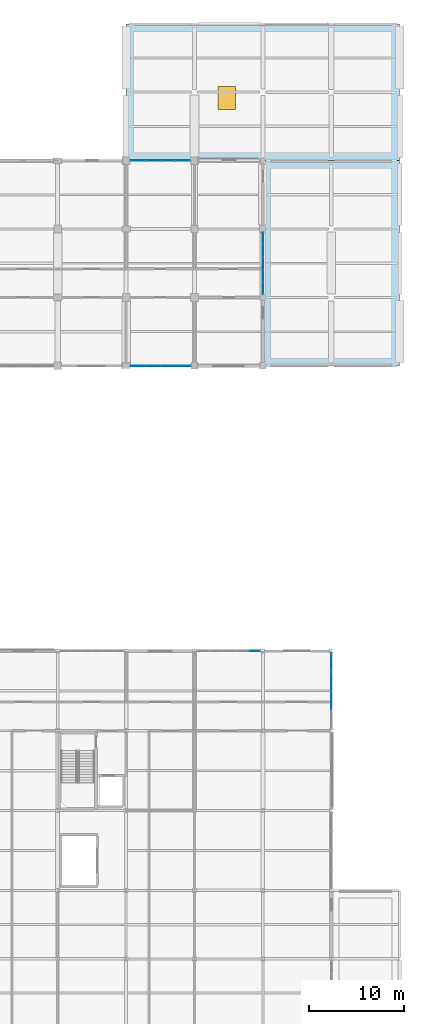
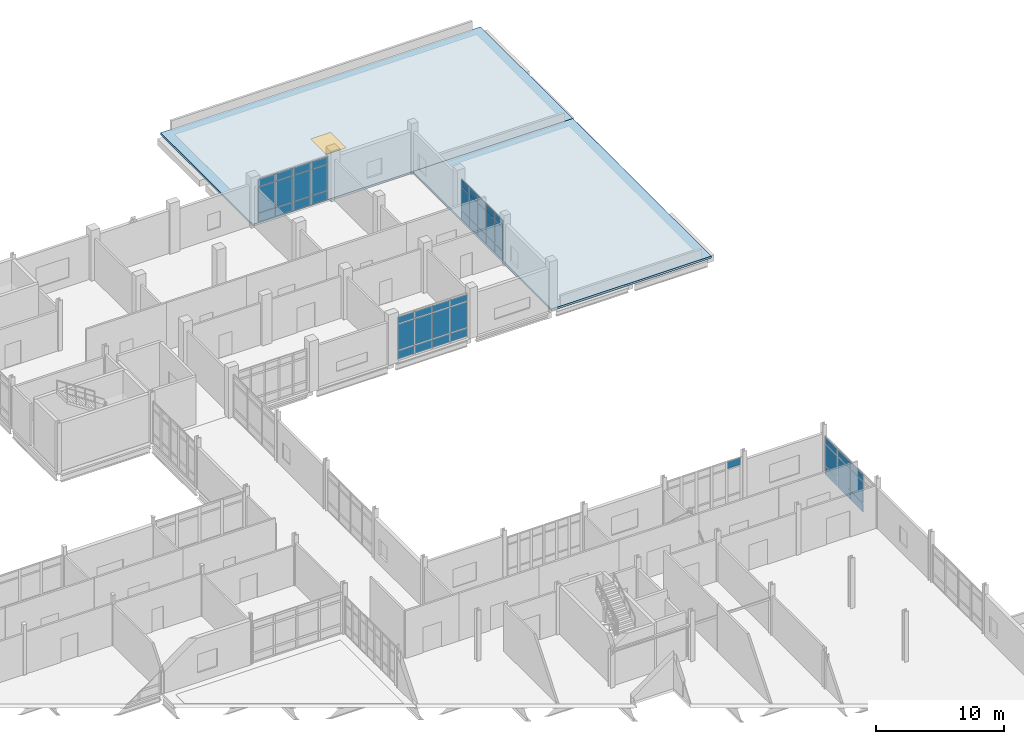
# One storey, part 133 of 186: 49 plates, 2 slabs, 1 window, 1 opening, 5 elements without a shape of their own.
"""IFC4 building model written with IfcOpenShell, lengths in metres."""

from ifc_helpers import new_model, si_unit, direction, frame, origin, origin_2d, place, context, subcontext, project, spatial, polyline, rectangle, outline, extrude, material, layer, layer_set, type_object, element, fill, aggregate, save


model = new_model("IFC4")

# Units and contexts
model_context = context("Model", 3, precision=1e-05, world=origin(), true_north=direction((0.0, 1.0)))
body_context = subcontext(model_context, "Body", "Model", "MODEL_VIEW")
ifc_project = project(units=[si_unit("LENGTHUNIT", "METRE"), si_unit("AREAUNIT", "SQUARE_METRE"), si_unit("VOLUMEUNIT", "CUBIC_METRE"), si_unit("PLANEANGLEUNIT", "RADIAN"), si_unit("MASSUNIT", "GRAM", prefix="KILO")], contexts=[model_context])

# Site, building, storey
site_placement = place(None, origin())
site = spatial("IfcSite", under=ifc_project, at=site_placement, CompositionType="ELEMENT")
building_placement = place(site_placement, origin())
building = spatial("IfcBuilding", under=site, at=building_placement, Name="Calvrana Isthmian Art Gallery", CompositionType="ELEMENT")
storey_placement = place(building_placement, frame((0.0, 0.0, 5.39990234375)))
storey = spatial("IfcBuildingStorey", under=building, at=storey_placement, Name="L01", CompositionType="ELEMENT", Elevation=5.39990234375)

# Curtain wall, plates
ifc_material_1 = material(Name="Anodized bronze aluminium 6063-T6", Category="aluminium")
ifc_layer_1 = layer(ifc_material_1, 0.179931640625, Name="Anodized bronze aluminium 6063-T6")
ifc_layer_set_1 = layer_set([ifc_layer_1], Name="Anodized bronze aluminium 6063-T6")
curtain_wall_type_1 = type_object("IfcCurtainWallType", Name="CW-UNIT-065X39", PredefinedType="USERDEFINED", material=ifc_layer_set_1)
curtain_wall_1_placement = place(storey_placement, origin())
curtain_wall_1 = element("IfcCurtainWall", 1, at=curtain_wall_1_placement, inside=storey, type_object=curtain_wall_type_1, Name="Curtain wall CW-140", ObjectType="UNITISED CURTAIN WALL", PredefinedType="USERDEFINED")
ifc_material_2 = material(Name="Polychrome glazed terracotta", Category="masonry")
ifc_layer_2 = layer(ifc_material_2, 0.033935546875, Name="Polychrome glazed terracotta")
ifc_layer_set_2 = layer_set([ifc_layer_2], Name="Polychrome glazed terracotta")
plate_type_1 = type_object("IfcPlateType", Name="CWP-SPANDREL-34", PredefinedType="CURTAIN_PANEL", material=ifc_layer_set_2)
plate_1_placement = place(storey_placement, frame((148.800048828125, 90.1787109375, 0.06005859375), z_axis=(0.0, 0.0, 1.0), x_axis=(0.0, -1.0, 0.0)))
plate_1 = element("IfcPlate", 2, at=plate_1_placement, type_object=plate_type_1, Name="CW-140 panel 1.1", PredefinedType="CURTAIN_PANEL", context=body_context, shape_type="SweptSolid", body=[
    extrude(rectangle(XDim=1.21240234375, YDim=0.033935546875, at=origin_2d()), origin(), (0.0, 0.0, 1.0), 0.81005859375),
])
plate_2_placement = place(storey_placement, frame((148.800048828125, 90.1787109375, 0.93017578125), z_axis=(0.0, 0.0, 1.0), x_axis=(0.0, -1.0, 0.0)))
plate_2 = element("IfcPlate", 3, at=plate_2_placement, type_object=plate_type_1, Name="CW-140 panel 1.2", PredefinedType="CURTAIN_PANEL", context=body_context, shape_type="SweptSolid", body=[
    extrude(rectangle(XDim=1.21240234375, YDim=0.033935546875, at=origin_2d()), origin(), (0.0, 0.0, 1.0), 2.202880859375),
])
plate_3_placement = place(storey_placement, frame((148.800048828125, 90.1787109375, 3.193359375), z_axis=(0.0, 0.0, 1.0), x_axis=(0.0, -1.0, 0.0)))
plate_3 = element("IfcPlate", 4, at=plate_3_placement, type_object=plate_type_1, Name="CW-140 panel 1.3", PredefinedType="CURTAIN_PANEL", context=body_context, shape_type="SweptSolid", body=[
    extrude(rectangle(XDim=1.21240234375, YDim=0.033935546875, at=origin_2d()), origin(), (0.0, 0.0, 1.0), 0.659912109375),
])
plate_4_placement = place(storey_placement, frame((148.800048828125, 88.885009765625, 0.06005859375), z_axis=(0.0, 0.0, 1.0), x_axis=(0.0, -1.0, 0.0)))
plate_4 = element("IfcPlate", 5, at=plate_4_placement, type_object=plate_type_1, Name="CW-140 panel 2.1", PredefinedType="CURTAIN_PANEL", context=body_context, shape_type="SweptSolid", body=[
    extrude(rectangle(XDim=1.2451171875, YDim=0.033935546875, at=origin_2d()), origin(), (0.0, 0.0, 1.0), 0.81005859375),
])
plate_5_placement = place(storey_placement, frame((148.800048828125, 88.885009765625, 0.93017578125), z_axis=(0.0, 0.0, 1.0), x_axis=(0.0, -1.0, 0.0)))
plate_5 = element("IfcPlate", 6, at=plate_5_placement, type_object=plate_type_1, Name="CW-140 panel 2.2", PredefinedType="CURTAIN_PANEL", context=body_context, shape_type="SweptSolid", body=[
    extrude(rectangle(XDim=1.2451171875, YDim=0.033935546875, at=origin_2d()), origin(), (0.0, 0.0, 1.0), 2.202880859375),
])
plate_6_placement = place(storey_placement, frame((148.800048828125, 88.885009765625, 3.193359375), z_axis=(0.0, 0.0, 1.0), x_axis=(0.0, -1.0, 0.0)))
plate_6 = element("IfcPlate", 7, at=plate_6_placement, type_object=plate_type_1, Name="CW-140 panel 2.3", PredefinedType="CURTAIN_PANEL", context=body_context, shape_type="SweptSolid", body=[
    extrude(rectangle(XDim=1.2451171875, YDim=0.033935546875, at=origin_2d()), origin(), (0.0, 0.0, 1.0), 0.659912109375),
])
plate_7_placement = place(storey_placement, frame((148.800048828125, 87.574951171875, 0.06005859375), z_axis=(0.0, 0.0, 1.0), x_axis=(0.0, -1.0, 0.0)))
plate_7 = element("IfcPlate", 8, at=plate_7_placement, type_object=plate_type_1, Name="CW-140 panel 3.1", PredefinedType="CURTAIN_PANEL", context=body_context, shape_type="SweptSolid", body=[
    extrude(rectangle(XDim=1.2451171875, YDim=0.033935546875, at=origin_2d()), origin(), (0.0, 0.0, 1.0), 0.81005859375),
])
plate_8_placement = place(storey_placement, frame((148.800048828125, 87.574951171875, 0.93017578125), z_axis=(0.0, 0.0, 1.0), x_axis=(0.0, -1.0, 0.0)))
plate_8 = element("IfcPlate", 9, at=plate_8_placement, type_object=plate_type_1, Name="CW-140 panel 3.2", PredefinedType="CURTAIN_PANEL", context=body_context, shape_type="SweptSolid", body=[
    extrude(rectangle(XDim=1.2451171875, YDim=0.033935546875, at=origin_2d()), origin(), (0.0, 0.0, 1.0), 2.202880859375),
])
plate_9_placement = place(storey_placement, frame((148.800048828125, 87.574951171875, 3.193359375), z_axis=(0.0, 0.0, 1.0), x_axis=(0.0, -1.0, 0.0)))
plate_9 = element("IfcPlate", 10, at=plate_9_placement, type_object=plate_type_1, Name="CW-140 panel 3.3", PredefinedType="CURTAIN_PANEL", context=body_context, shape_type="SweptSolid", body=[
    extrude(rectangle(XDim=1.2451171875, YDim=0.033935546875, at=origin_2d()), origin(), (0.0, 0.0, 1.0), 0.659912109375),
])
plate_10_placement = place(storey_placement, frame((148.800048828125, 86.264892578125, 0.06005859375), z_axis=(0.0, 0.0, 1.0), x_axis=(0.0, -1.0, 0.0)))
plate_10 = element("IfcPlate", 11, at=plate_10_placement, type_object=plate_type_1, Name="CW-140 panel 4.1", PredefinedType="CURTAIN_PANEL", context=body_context, shape_type="SweptSolid", body=[
    extrude(rectangle(XDim=1.2451171875, YDim=0.033935546875, at=origin_2d()), origin(), (0.0, 0.0, 1.0), 0.81005859375),
])
plate_11_placement = place(storey_placement, frame((148.800048828125, 86.264892578125, 0.93017578125), z_axis=(0.0, 0.0, 1.0), x_axis=(0.0, -1.0, 0.0)))
plate_11 = element("IfcPlate", 12, at=plate_11_placement, type_object=plate_type_1, Name="CW-140 panel 4.2", PredefinedType="CURTAIN_PANEL", context=body_context, shape_type="SweptSolid", body=[
    extrude(rectangle(XDim=1.2451171875, YDim=0.033935546875, at=origin_2d()), origin(), (0.0, 0.0, 1.0), 2.202880859375),
])
plate_12_placement = place(storey_placement, frame((148.800048828125, 86.264892578125, 3.193359375), z_axis=(0.0, 0.0, 1.0), x_axis=(0.0, -1.0, 0.0)))
plate_12 = element("IfcPlate", 13, at=plate_12_placement, type_object=plate_type_1, Name="CW-140 panel 4.3", PredefinedType="CURTAIN_PANEL", context=body_context, shape_type="SweptSolid", body=[
    extrude(rectangle(XDim=1.2451171875, YDim=0.033935546875, at=origin_2d()), origin(), (0.0, 0.0, 1.0), 0.659912109375),
])
plate_13_placement = place(storey_placement, frame((148.800048828125, 84.97119140625, 0.06005859375), z_axis=(0.0, 0.0, 1.0), x_axis=(0.0, -1.0, 0.0)))
plate_13 = element("IfcPlate", 14, at=plate_13_placement, type_object=plate_type_1, Name="CW-140 panel 5.1", PredefinedType="CURTAIN_PANEL", context=body_context, shape_type="SweptSolid", body=[
    extrude(rectangle(XDim=1.21240234375, YDim=0.033935546875, at=origin_2d()), origin(), (0.0, 0.0, 1.0), 0.81005859375),
])
plate_14_placement = place(storey_placement, frame((148.800048828125, 84.97119140625, 0.93017578125), z_axis=(0.0, 0.0, 1.0), x_axis=(0.0, -1.0, 0.0)))
plate_14 = element("IfcPlate", 15, at=plate_14_placement, type_object=plate_type_1, Name="CW-140 panel 5.2", PredefinedType="CURTAIN_PANEL", context=body_context, shape_type="SweptSolid", body=[
    extrude(rectangle(XDim=1.21240234375, YDim=0.033935546875, at=origin_2d()), origin(), (0.0, 0.0, 1.0), 2.202880859375),
])
plate_15_placement = place(storey_placement, frame((148.800048828125, 84.97119140625, 3.193359375), z_axis=(0.0, 0.0, 1.0), x_axis=(0.0, -1.0, 0.0)))
plate_15 = element("IfcPlate", 16, at=plate_15_placement, type_object=plate_type_1, Name="CW-140 panel 5.3", PredefinedType="CURTAIN_PANEL", context=body_context, shape_type="SweptSolid", body=[
    extrude(rectangle(XDim=1.21240234375, YDim=0.033935546875, at=origin_2d()), origin(), (0.0, 0.0, 1.0), 0.659912109375),
])
aggregate(curtain_wall_1, [plate_1, plate_2, plate_3, plate_4, plate_5, plate_6, plate_7, plate_8, plate_9, plate_10, plate_11, plate_12, plate_13, plate_14, plate_15])

# Curtain wall, plate
ifc_layer_3 = layer(ifc_material_1, 0.179931640625, Name="Anodized bronze aluminium 6063-T6")
ifc_layer_set_3 = layer_set([ifc_layer_3], Name="Anodized bronze aluminium 6063-T6")
curtain_wall_type_2 = type_object("IfcCurtainWallType", Name="CW-UNIT-068X42", PredefinedType="USERDEFINED", material=ifc_layer_set_3)
curtain_wall_2_placement = place(storey_placement, origin())
curtain_wall_2 = element("IfcCurtainWall", 17, at=curtain_wall_2_placement, inside=storey, type_object=curtain_wall_type_2, Name="Curtain wall CW-101", ObjectType="UNITISED CURTAIN WALL", PredefinedType="USERDEFINED")
ifc_material_3 = material(Name="Low-E laminated solar glass", Category="glass")
ifc_layer_4 = layer(ifc_material_3, 0.028076171875, Name="Low-E laminated solar glass")
ifc_layer_set_4 = layer_set([ifc_layer_4], Name="Low-E laminated solar glass")
plate_type_2 = type_object("IfcPlateType", Name="CWP-VISION-28", PredefinedType="CURTAIN_PANEL", material=ifc_layer_set_4)
plate_16_placement = place(storey_placement, frame((147.912841796875, 46.800048828125, 3.4951171875), z_axis=(0.0, 0.0, 1.0), x_axis=(1.0, 0.0, 0.0)))
plate_16 = element("IfcPlate", 18, at=plate_16_placement, type_object=plate_type_2, Name="CW-101 panel 5.3", PredefinedType="CURTAIN_PANEL", context=body_context, shape_type="SweptSolid", body=[
    extrude(rectangle(XDim=1.243408203125, YDim=0.028076171875, at=origin_2d()), origin(), (0.0, 0.0, 1.0), 0.659912109375),
])
aggregate(curtain_wall_2, [plate_16])

# Curtain wall, plates
ifc_layer_5 = layer(ifc_material_1, 0.179931640625, Name="Anodized bronze aluminium 6063-T6")
ifc_layer_set_5 = layer_set([ifc_layer_5], Name="Anodized bronze aluminium 6063-T6")
curtain_wall_type_3 = type_object("IfcCurtainWallType", Name="CW-UNIT-064X42", PredefinedType="USERDEFINED", material=ifc_layer_set_5)
curtain_wall_3_placement = place(storey_placement, origin())
curtain_wall_3 = element("IfcCurtainWall", 19, at=curtain_wall_3_placement, inside=storey, type_object=curtain_wall_type_3, Name="Curtain wall CW-109", ObjectType="UNITISED CURTAIN WALL", PredefinedType="USERDEFINED")
plate_17_placement = place(storey_placement, frame((140.43505859375, 76.800048828125, 0.074951171875), z_axis=(0.0, 0.0, 1.0), x_axis=(-1.0, 0.0, 0.0)))
plate_17 = element("IfcPlate", 20, at=plate_17_placement, type_object=plate_type_2, Name="CW-109 panel 1.1", PredefinedType="CURTAIN_PANEL", context=body_context, shape_type="SweptSolid", body=[
    extrude(rectangle(XDim=1.510009765625, YDim=0.028076171875, at=origin_2d()), origin(), (0.0, 0.0, 1.0), 0.78759765625),
])
plate_18_placement = place(storey_placement, frame((140.43505859375, 76.800048828125, 0.9375), z_axis=(0.0, 0.0, 1.0), x_axis=(-1.0, 0.0, 0.0)))
plate_18 = element("IfcPlate", 21, at=plate_18_placement, type_object=plate_type_2, Name="CW-109 panel 1.2", PredefinedType="CURTAIN_PANEL", context=body_context, shape_type="SweptSolid", body=[
    extrude(rectangle(XDim=1.510009765625, YDim=0.028076171875, at=origin_2d()), origin(), (0.0, 0.0, 1.0), 2.43896484375),
])
plate_19_placement = place(storey_placement, frame((140.43505859375, 76.800048828125, 3.45166015625), z_axis=(0.0, 0.0, 1.0), x_axis=(-1.0, 0.0, 0.0)))
plate_19 = element("IfcPlate", 22, at=plate_19_placement, type_object=plate_type_2, Name="CW-109 panel 1.3", PredefinedType="CURTAIN_PANEL", context=body_context, shape_type="SweptSolid", body=[
    extrude(rectangle(XDim=1.510009765625, YDim=0.028076171875, at=origin_2d()), origin(), (0.0, 0.0, 1.0), 0.637451171875),
])
plate_20_placement = place(storey_placement, frame((138.85009765625, 76.800048828125, 0.074951171875), z_axis=(0.0, 0.0, 1.0), x_axis=(-1.0, 0.0, 0.0)))
plate_20 = element("IfcPlate", 23, at=plate_20_placement, type_object=plate_type_2, Name="CW-109 panel 2.1", PredefinedType="CURTAIN_PANEL", context=body_context, shape_type="SweptSolid", body=[
    extrude(rectangle(XDim=1.5400390625, YDim=0.028076171875, at=origin_2d()), origin(), (0.0, 0.0, 1.0), 0.78759765625),
])
plate_21_placement = place(storey_placement, frame((138.85009765625, 76.800048828125, 0.9375), z_axis=(0.0, 0.0, 1.0), x_axis=(-1.0, 0.0, 0.0)))
plate_21 = element("IfcPlate", 24, at=plate_21_placement, type_object=plate_type_2, Name="CW-109 panel 2.2", PredefinedType="CURTAIN_PANEL", context=body_context, shape_type="SweptSolid", body=[
    extrude(rectangle(XDim=1.5400390625, YDim=0.028076171875, at=origin_2d()), origin(), (0.0, 0.0, 1.0), 2.43896484375),
])
plate_22_placement = place(storey_placement, frame((138.85009765625, 76.800048828125, 3.45166015625), z_axis=(0.0, 0.0, 1.0), x_axis=(-1.0, 0.0, 0.0)))
plate_22 = element("IfcPlate", 25, at=plate_22_placement, type_object=plate_type_2, Name="CW-109 panel 2.3", PredefinedType="CURTAIN_PANEL", context=body_context, shape_type="SweptSolid", body=[
    extrude(rectangle(XDim=1.5400390625, YDim=0.028076171875, at=origin_2d()), origin(), (0.0, 0.0, 1.0), 0.637451171875),
])
plate_23_placement = place(storey_placement, frame((137.25, 76.800048828125, 0.074951171875), z_axis=(0.0, 0.0, 1.0), x_axis=(-1.0, 0.0, 0.0)))
plate_23 = element("IfcPlate", 26, at=plate_23_placement, type_object=plate_type_2, Name="CW-109 panel 3.1", PredefinedType="CURTAIN_PANEL", context=body_context, shape_type="SweptSolid", body=[
    extrude(rectangle(XDim=1.5400390625, YDim=0.028076171875, at=origin_2d()), origin(), (0.0, 0.0, 1.0), 0.78759765625),
])
plate_24_placement = place(storey_placement, frame((137.25, 76.800048828125, 0.9375), z_axis=(0.0, 0.0, 1.0), x_axis=(-1.0, 0.0, 0.0)))
plate_24 = element("IfcPlate", 27, at=plate_24_placement, type_object=plate_type_2, Name="CW-109 panel 3.2", PredefinedType="CURTAIN_PANEL", context=body_context, shape_type="SweptSolid", body=[
    extrude(rectangle(XDim=1.5400390625, YDim=0.028076171875, at=origin_2d()), origin(), (0.0, 0.0, 1.0), 2.43896484375),
])
plate_25_placement = place(storey_placement, frame((137.25, 76.800048828125, 3.45166015625), z_axis=(0.0, 0.0, 1.0), x_axis=(-1.0, 0.0, 0.0)))
plate_25 = element("IfcPlate", 28, at=plate_25_placement, type_object=plate_type_2, Name="CW-109 panel 3.3", PredefinedType="CURTAIN_PANEL", context=body_context, shape_type="SweptSolid", body=[
    extrude(rectangle(XDim=1.5400390625, YDim=0.028076171875, at=origin_2d()), origin(), (0.0, 0.0, 1.0), 0.637451171875),
])
plate_26_placement = place(storey_placement, frame((135.6650390625, 76.800048828125, 0.074951171875), z_axis=(0.0, 0.0, 1.0), x_axis=(-1.0, 0.0, 0.0)))
plate_26 = element("IfcPlate", 29, at=plate_26_placement, type_object=plate_type_2, Name="CW-109 panel 4.1", PredefinedType="CURTAIN_PANEL", context=body_context, shape_type="SweptSolid", body=[
    extrude(rectangle(XDim=1.510009765625, YDim=0.028076171875, at=origin_2d()), origin(), (0.0, 0.0, 1.0), 0.78759765625),
])
plate_27_placement = place(storey_placement, frame((135.6650390625, 76.800048828125, 0.9375), z_axis=(0.0, 0.0, 1.0), x_axis=(-1.0, 0.0, 0.0)))
plate_27 = element("IfcPlate", 30, at=plate_27_placement, type_object=plate_type_2, Name="CW-109 panel 4.2", PredefinedType="CURTAIN_PANEL", context=body_context, shape_type="SweptSolid", body=[
    extrude(rectangle(XDim=1.510009765625, YDim=0.028076171875, at=origin_2d()), origin(), (0.0, 0.0, 1.0), 2.43896484375),
])
plate_28_placement = place(storey_placement, frame((135.6650390625, 76.800048828125, 3.45166015625), z_axis=(0.0, 0.0, 1.0), x_axis=(-1.0, 0.0, 0.0)))
plate_28 = element("IfcPlate", 31, at=plate_28_placement, type_object=plate_type_2, Name="CW-109 panel 4.3", PredefinedType="CURTAIN_PANEL", context=body_context, shape_type="SweptSolid", body=[
    extrude(rectangle(XDim=1.510009765625, YDim=0.028076171875, at=origin_2d()), origin(), (0.0, 0.0, 1.0), 0.637451171875),
])
aggregate(curtain_wall_3, [plate_17, plate_18, plate_19, plate_20, plate_21, plate_22, plate_23, plate_24, plate_25, plate_26, plate_27, plate_28])

curtain_wall_4_placement = place(storey_placement, origin())
curtain_wall_4 = element("IfcCurtainWall", 32, at=curtain_wall_4_placement, inside=storey, type_object=curtain_wall_type_3, Name="Curtain wall CW-113", ObjectType="UNITISED CURTAIN WALL", PredefinedType="USERDEFINED")
plate_29_placement = place(storey_placement, frame((135.6201171875, 98.39990234375, 0.070068359375), z_axis=(0.0, 0.0, 1.0), x_axis=(1.0, 0.0, 0.0)))
plate_29 = element("IfcPlate", 33, at=plate_29_placement, type_object=plate_type_2, Name="CW-113 panel 1.1", PredefinedType="CURTAIN_PANEL", context=body_context, shape_type="SweptSolid", body=[
    extrude(rectangle(XDim=1.47998046875, YDim=0.028076171875, at=origin_2d()), origin(), (0.0, 0.0, 1.0), 0.794921875),
])
plate_30_placement = place(storey_placement, frame((135.6201171875, 98.39990234375, 0.93505859375), z_axis=(0.0, 0.0, 1.0), x_axis=(1.0, 0.0, 0.0)))
plate_30 = element("IfcPlate", 34, at=plate_30_placement, type_object=plate_type_2, Name="CW-113 panel 1.2", PredefinedType="CURTAIN_PANEL", context=body_context, shape_type="SweptSolid", body=[
    extrude(rectangle(XDim=1.47998046875, YDim=0.028076171875, at=origin_2d()), origin(), (0.0, 0.0, 1.0), 2.444091796875),
])
plate_31_placement = place(storey_placement, frame((135.6201171875, 98.39990234375, 3.448974609375), z_axis=(0.0, 0.0, 1.0), x_axis=(1.0, 0.0, 0.0)))
plate_31 = element("IfcPlate", 35, at=plate_31_placement, type_object=plate_type_2, Name="CW-113 panel 1.3", PredefinedType="CURTAIN_PANEL", context=body_context, shape_type="SweptSolid", body=[
    extrude(rectangle(XDim=1.47998046875, YDim=0.028076171875, at=origin_2d()), origin(), (0.0, 0.0, 1.0), 0.64501953125),
])
plate_32_placement = place(storey_placement, frame((137.199951171875, 98.39990234375, 0.070068359375), z_axis=(0.0, 0.0, 1.0), x_axis=(1.0, 0.0, 0.0)))
plate_32 = element("IfcPlate", 36, at=plate_32_placement, type_object=plate_type_2, Name="CW-113 panel 2.1", PredefinedType="CURTAIN_PANEL", context=body_context, shape_type="SweptSolid", body=[
    extrude(rectangle(XDim=1.52001953125, YDim=0.028076171875, at=origin_2d()), origin(), (0.0, 0.0, 1.0), 0.794921875),
])
plate_33_placement = place(storey_placement, frame((137.199951171875, 98.39990234375, 0.93505859375), z_axis=(0.0, 0.0, 1.0), x_axis=(1.0, 0.0, 0.0)))
plate_33 = element("IfcPlate", 37, at=plate_33_placement, type_object=plate_type_2, Name="CW-113 panel 2.2", PredefinedType="CURTAIN_PANEL", context=body_context, shape_type="SweptSolid", body=[
    extrude(rectangle(XDim=1.52001953125, YDim=0.028076171875, at=origin_2d()), origin(), (0.0, 0.0, 1.0), 2.444091796875),
])
plate_34_placement = place(storey_placement, frame((137.199951171875, 98.39990234375, 3.448974609375), z_axis=(0.0, 0.0, 1.0), x_axis=(1.0, 0.0, 0.0)))
plate_34 = element("IfcPlate", 38, at=plate_34_placement, type_object=plate_type_2, Name="CW-113 panel 2.3", PredefinedType="CURTAIN_PANEL", context=body_context, shape_type="SweptSolid", body=[
    extrude(rectangle(XDim=1.52001953125, YDim=0.028076171875, at=origin_2d()), origin(), (0.0, 0.0, 1.0), 0.64501953125),
])
plate_35_placement = place(storey_placement, frame((138.800048828125, 98.39990234375, 0.070068359375), z_axis=(0.0, 0.0, 1.0), x_axis=(1.0, 0.0, 0.0)))
plate_35 = element("IfcPlate", 39, at=plate_35_placement, type_object=plate_type_2, Name="CW-113 panel 3.1", PredefinedType="CURTAIN_PANEL", context=body_context, shape_type="SweptSolid", body=[
    extrude(rectangle(XDim=1.52001953125, YDim=0.028076171875, at=origin_2d()), origin(), (0.0, 0.0, 1.0), 0.794921875),
])
plate_36_placement = place(storey_placement, frame((138.800048828125, 98.39990234375, 0.93505859375), z_axis=(0.0, 0.0, 1.0), x_axis=(1.0, 0.0, 0.0)))
plate_36 = element("IfcPlate", 40, at=plate_36_placement, type_object=plate_type_2, Name="CW-113 panel 3.2", PredefinedType="CURTAIN_PANEL", context=body_context, shape_type="SweptSolid", body=[
    extrude(rectangle(XDim=1.52001953125, YDim=0.028076171875, at=origin_2d()), origin(), (0.0, 0.0, 1.0), 2.444091796875),
])
plate_37_placement = place(storey_placement, frame((138.800048828125, 98.39990234375, 3.448974609375), z_axis=(0.0, 0.0, 1.0), x_axis=(1.0, 0.0, 0.0)))
plate_37 = element("IfcPlate", 41, at=plate_37_placement, type_object=plate_type_2, Name="CW-113 panel 3.3", PredefinedType="CURTAIN_PANEL", context=body_context, shape_type="SweptSolid", body=[
    extrude(rectangle(XDim=1.52001953125, YDim=0.028076171875, at=origin_2d()), origin(), (0.0, 0.0, 1.0), 0.64501953125),
])
plate_38_placement = place(storey_placement, frame((140.3798828125, 98.39990234375, 0.070068359375), z_axis=(0.0, 0.0, 1.0), x_axis=(1.0, 0.0, 0.0)))
plate_38 = element("IfcPlate", 42, at=plate_38_placement, type_object=plate_type_2, Name="CW-113 panel 4.1", PredefinedType="CURTAIN_PANEL", context=body_context, shape_type="SweptSolid", body=[
    extrude(rectangle(XDim=1.47998046875, YDim=0.028076171875, at=origin_2d()), origin(), (0.0, 0.0, 1.0), 0.794921875),
])
plate_39_placement = place(storey_placement, frame((140.3798828125, 98.39990234375, 0.93505859375), z_axis=(0.0, 0.0, 1.0), x_axis=(1.0, 0.0, 0.0)))
plate_39 = element("IfcPlate", 43, at=plate_39_placement, type_object=plate_type_2, Name="CW-113 panel 4.2", PredefinedType="CURTAIN_PANEL", context=body_context, shape_type="SweptSolid", body=[
    extrude(rectangle(XDim=1.47998046875, YDim=0.028076171875, at=origin_2d()), origin(), (0.0, 0.0, 1.0), 2.444091796875),
])
plate_40_placement = place(storey_placement, frame((140.3798828125, 98.39990234375, 3.448974609375), z_axis=(0.0, 0.0, 1.0), x_axis=(1.0, 0.0, 0.0)))
plate_40 = element("IfcPlate", 44, at=plate_40_placement, type_object=plate_type_2, Name="CW-113 panel 4.3", PredefinedType="CURTAIN_PANEL", context=body_context, shape_type="SweptSolid", body=[
    extrude(rectangle(XDim=1.47998046875, YDim=0.028076171875, at=origin_2d()), origin(), (0.0, 0.0, 1.0), 0.64501953125),
])
aggregate(curtain_wall_4, [plate_29, plate_30, plate_31, plate_32, plate_33, plate_34, plate_35, plate_36, plate_37, plate_38, plate_39, plate_40])

ifc_layer_6 = layer(ifc_material_1, 0.179931640625, Name="Anodized bronze aluminium 6063-T6")
ifc_layer_set_6 = layer_set([ifc_layer_6], Name="Anodized bronze aluminium 6063-T6")
curtain_wall_type_4 = type_object("IfcCurtainWallType", Name="CW-STICK-080X37", PredefinedType="NOTDEFINED", material=ifc_layer_set_6)
curtain_wall_5_placement = place(storey_placement, origin())
curtain_wall_5 = element("IfcCurtainWall", 45, at=curtain_wall_5_placement, inside=storey, type_object=curtain_wall_type_4, Name="Curtain wall CW-143", PredefinedType="NOTDEFINED")
plate_41_placement = place(storey_placement, frame((156.0, 45.59765625, 0.070068359375), z_axis=(0.0, 0.0, 1.0), x_axis=(0.0, -1.0, 0.0)))
plate_41 = element("IfcPlate", 46, at=plate_41_placement, type_object=plate_type_2, Name="CW-143 panel 1.1", PredefinedType="CURTAIN_PANEL", context=body_context, shape_type="SweptSolid", body=[
    extrude(rectangle(XDim=1.888916015625, YDim=0.028076171875, at=origin_2d()), origin(), (0.0, 0.0, 1.0), 0.794921875),
])
plate_42_placement = place(storey_placement, frame((156.0, 45.59765625, 0.93505859375), z_axis=(0.0, 0.0, 1.0), x_axis=(0.0, -1.0, 0.0)))
plate_42 = element("IfcPlate", 47, at=plate_42_placement, type_object=plate_type_2, Name="CW-143 panel 1.2", PredefinedType="CURTAIN_PANEL", context=body_context, shape_type="SweptSolid", body=[
    extrude(rectangle(XDim=1.888916015625, YDim=0.028076171875, at=origin_2d()), origin(), (0.0, 0.0, 1.0), 2.028076171875),
])
plate_43_placement = place(storey_placement, frame((156.0, 45.59765625, 3.033203125), z_axis=(0.0, 0.0, 1.0), x_axis=(0.0, -1.0, 0.0)))
plate_43 = element("IfcPlate", 48, at=plate_43_placement, type_object=plate_type_2, Name="CW-143 panel 1.3", PredefinedType="CURTAIN_PANEL", context=body_context, shape_type="SweptSolid", body=[
    extrude(rectangle(XDim=1.888916015625, YDim=0.028076171875, at=origin_2d()), origin(), (0.0, 0.0, 1.0), 0.64501953125),
])
plate_44_placement = place(storey_placement, frame((156.0, 43.608642578125, 0.070068359375), z_axis=(0.0, 0.0, 1.0), x_axis=(0.0, -1.0, 0.0)))
plate_44 = element("IfcPlate", 49, at=plate_44_placement, type_object=plate_type_2, Name="CW-143 panel 2.1", PredefinedType="CURTAIN_PANEL", context=body_context, shape_type="SweptSolid", body=[
    extrude(rectangle(XDim=1.928955078125, YDim=0.028076171875, at=origin_2d()), origin(), (0.0, 0.0, 1.0), 0.794921875),
])
plate_45_placement = place(storey_placement, frame((156.0, 43.608642578125, 0.93505859375), z_axis=(0.0, 0.0, 1.0), x_axis=(0.0, -1.0, 0.0)))
plate_45 = element("IfcPlate", 50, at=plate_45_placement, type_object=plate_type_2, Name="CW-143 panel 2.2", PredefinedType="CURTAIN_PANEL", context=body_context, shape_type="SweptSolid", body=[
    extrude(rectangle(XDim=1.928955078125, YDim=0.028076171875, at=origin_2d()), origin(), (0.0, 0.0, 1.0), 2.028076171875),
])
plate_46_placement = place(storey_placement, frame((156.0, 43.608642578125, 3.033203125), z_axis=(0.0, 0.0, 1.0), x_axis=(0.0, -1.0, 0.0)))
plate_46 = element("IfcPlate", 51, at=plate_46_placement, type_object=plate_type_2, Name="CW-143 panel 2.3", PredefinedType="CURTAIN_PANEL", context=body_context, shape_type="SweptSolid", body=[
    extrude(rectangle(XDim=1.928955078125, YDim=0.028076171875, at=origin_2d()), origin(), (0.0, 0.0, 1.0), 0.64501953125),
])
plate_47_placement = place(storey_placement, frame((156.0, 41.599853515625, 0.070068359375), z_axis=(0.0, 0.0, 1.0), x_axis=(0.0, -1.0, 0.0)))
plate_47 = element("IfcPlate", 52, at=plate_47_placement, type_object=plate_type_2, Name="CW-143 panel 3.1", PredefinedType="CURTAIN_PANEL", context=body_context, shape_type="SweptSolid", body=[
    extrude(rectangle(XDim=1.928955078125, YDim=0.028076171875, at=origin_2d()), origin(), (0.0, 0.0, 1.0), 0.794921875),
])
plate_48_placement = place(storey_placement, frame((156.0, 41.599853515625, 0.93505859375), z_axis=(0.0, 0.0, 1.0), x_axis=(0.0, -1.0, 0.0)))
plate_48 = element("IfcPlate", 53, at=plate_48_placement, type_object=plate_type_2, Name="CW-143 panel 3.2", PredefinedType="CURTAIN_PANEL", context=body_context, shape_type="SweptSolid", body=[
    extrude(rectangle(XDim=1.928955078125, YDim=0.028076171875, at=origin_2d()), origin(), (0.0, 0.0, 1.0), 2.028076171875),
])
plate_49_placement = place(storey_placement, frame((156.0, 41.599853515625, 3.033203125), z_axis=(0.0, 0.0, 1.0), x_axis=(0.0, -1.0, 0.0)))
plate_49 = element("IfcPlate", 54, at=plate_49_placement, type_object=plate_type_2, Name="CW-143 panel 3.3", PredefinedType="CURTAIN_PANEL", context=body_context, shape_type="SweptSolid", body=[
    extrude(rectangle(XDim=1.928955078125, YDim=0.028076171875, at=origin_2d()), origin(), (0.0, 0.0, 1.0), 0.64501953125),
])
aggregate(curtain_wall_5, [plate_41, plate_42, plate_43, plate_44, plate_45, plate_46, plate_47, plate_48, plate_49])

# Slab
ifc_material_4 = material(Name="Concrete C40/50", Category="concrete")
ifc_layer_7 = layer(ifc_material_4, 0.199951171875, Name="Concrete C40/50")
ifc_layer_set_7 = layer_set([ifc_layer_7], Name="Concrete C40/50")
slab_type = type_object("IfcSlabType", Name="SLB-ROOF-200", PredefinedType="ROOF", material=ifc_layer_set_7)
slab_1_placement = place(storey_placement, frame((0.0, 0.0, -0.199951171875)))
element("IfcSlab", 55, at=slab_1_placement, inside=storey, type_object=slab_type, Name="Flat roof slab ROOF_V5E_L01", PredefinedType="ROOF", context=body_context, shape_type="SweptSolid", body=[
    extrude(outline(polyline([(148.800048828125, 76.800048828125), (163.199951171875, 76.800048828125), (163.199951171875, 98.39990234375), (148.800048828125, 98.39990234375), (148.800048828125, 76.800048828125)])), origin(), (0.0, 0.0, 1.0), 0.199951171875),
])

# Slab, opening, window
slab_2_placement = place(storey_placement, frame((0.0, 0.0, -0.199951171875)))
slab_2 = element("IfcSlab", 56, at=slab_2_placement, inside=storey, type_object=slab_type, Name="Flat roof slab ROOF_V5N_L01", PredefinedType="ROOF", context=body_context, shape_type="SweptSolid", body=[
    extrude(outline(polyline([(134.39990234375, 98.39990234375), (163.199951171875, 98.39990234375), (163.199951171875, 112.800048828125), (134.39990234375, 112.800048828125), (134.39990234375, 98.39990234375)])), origin(), (0.0, 0.0, 1.0), 0.199951171875),
])
opening_placement = place(slab_2_placement, frame((145.0, 105.0, -0.01025390625)))
opening = element("IfcOpeningElement", 57, at=opening_placement, cuts=slab_2, Name="Opening SK-13", PredefinedType="OPENING", context=body_context, shape_type="SweptSolid", body=[
    extrude(rectangle(XDim=1.800048828125, YDim=2.39990234375, at=origin_2d()), origin(), (0.0, 0.0, 1.0), 0.220458984375),
])
ifc_material_5 = material(Name="Diffusing skylight glass", Category="glass")
window_type = type_object("IfcWindowType", Name="SKY-MON-180X240", PartitioningType="SINGLE_PANEL", PredefinedType="SKYLIGHT", material=ifc_material_5)
window_placement = place(slab_2_placement, frame((145.0, 105.0, 0.139892578125)))
window = element("IfcWindow", 58, at=window_placement, inside=storey, type_object=window_type, Name="Roof skylight / access hatch SK-13", OverallHeight=2.39990234375, OverallWidth=1.800048828125, PartitioningType="SINGLE_PANEL", PredefinedType="SKYLIGHT", context=body_context, shape_type="SweptSolid", body=[
    extrude(rectangle(XDim=1.800048828125, YDim=2.39990234375, at=origin_2d()), origin(), (0.0, 0.0, 1.0), 0.06005859375),
])
fill(opening, window)

save(model, "model.ifc")
